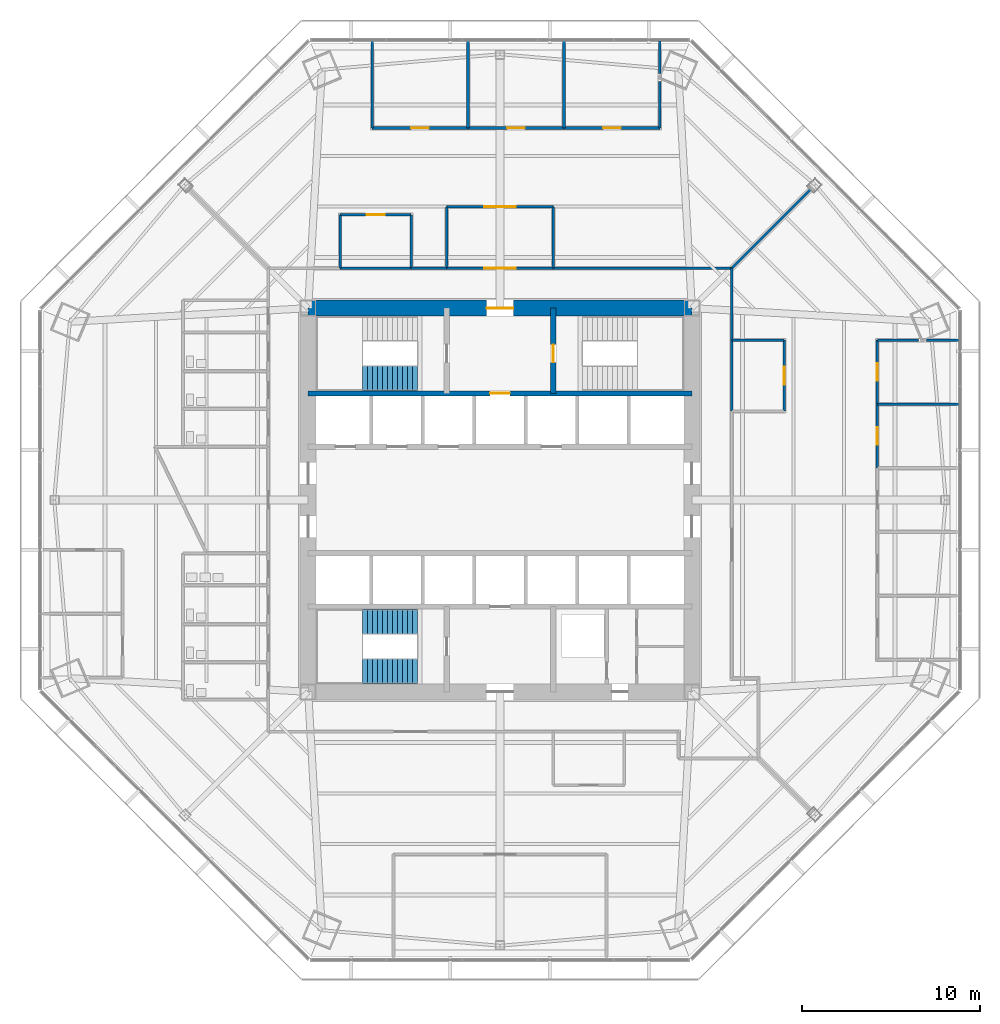
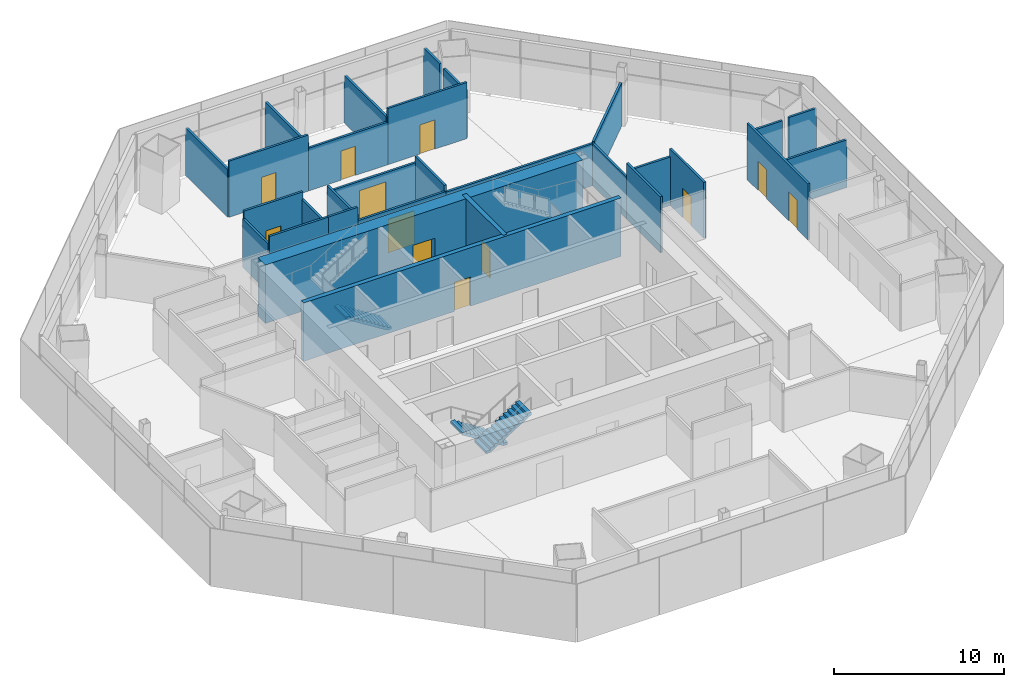
# One storey, part 11 of 15: 30 walls, 12 doors, 3 stair flights, 12 openings, 2 elements without a shape of their own.
"""IFC4 building model written with IfcOpenShell, lengths in metres."""

from ifc_helpers import new_model, si_unit, direction, frame, frame_2d, origin, place, context, subcontext, project, spatial, polyline, rectangle, outline, extrude, material, layer, layer_set, type_object, element, fill, aggregate, save


model = new_model("IFC4")

# Units and contexts
model_context = context("Model", 3, precision=1e-05, world=origin(), true_north=direction((0.0, 1.0)))
body_context = subcontext(model_context, "Body", "Model", "MODEL_VIEW")
ifc_project = project(units=[si_unit("LENGTHUNIT", "METRE"), si_unit("AREAUNIT", "SQUARE_METRE"), si_unit("VOLUMEUNIT", "CUBIC_METRE"), si_unit("PLANEANGLEUNIT", "RADIAN"), si_unit("MASSUNIT", "GRAM", prefix="KILO")], contexts=[model_context])

# Site, building, storey
site_placement = place(None, origin())
site = spatial("IfcSite", under=ifc_project, at=site_placement, CompositionType="ELEMENT")
building_placement = place(site_placement, origin())
building = spatial("IfcBuilding", under=site, at=building_placement, Name="Mashrafa Tower", CompositionType="ELEMENT")
storey_placement = place(building_placement, frame((0.0, 0.0, 75.0)))
storey = spatial("IfcBuildingStorey", under=building, at=storey_placement, Name="L16", CompositionType="ELEMENT", Elevation=75.0)

# Wall, opening, door
ifc_material_1 = material(Name="Concrete C60/75", Category="concrete")
ifc_layer_1 = layer(ifc_material_1, 0.300048828125)
ifc_layer_set_1 = layer_set([ifc_layer_1], Name="Core wall 300 C60/75")
wall_type_1 = type_object("IfcWallType", Name="Core wall 300 C60/75", PredefinedType="SOLIDWALL", material=ifc_layer_set_1)
wall_1_placement = place(storey_placement, frame((-10.800048828125, 6.0, 0.0), z_axis=(0.0, 0.0, 1.0), x_axis=(1.0, 0.0, 0.0)))
wall_1 = element("IfcWall", 1, at=wall_1_placement, inside=storey, type_object=wall_type_1, Name="Core wall CB-N L16", PredefinedType="SOLIDWALL", context=body_context, shape_type="SweptSolid", body=[
    extrude(rectangle(XDim=21.60009765625, YDim=0.300048828125, at=frame_2d((10.800048828125, 0.0))), origin(), (0.0, 0.0, 1.0), 4.199951171875),
])
opening_1_placement = place(wall_1_placement, frame((10.25, 0.0, 0.0)))
opening_1 = element("IfcOpeningElement", 2, at=opening_1_placement, cuts=wall_1, Name="Opening 16.F1", PredefinedType="OPENING", context=body_context, shape_type="SweptSolid", body=[
    extrude(rectangle(XDim=1.10009765625, YDim=2.10009765625, at=frame_2d((0.550048828125, 1.050048828125))), frame((0.0, 0.159912109375, 0.0), z_axis=(0.0, -1.0, 0.0), x_axis=(1.0, 0.0, 0.0)), (0.0, 0.0, 1.0), 0.320068359375),
])
ifc_material_2 = material(Name="Steel door", Category="steel")
door_type_1 = type_object("IfcDoorType", Name="Lift landing door 1100 x 2100 90 min", OperationType="DOUBLE_DOOR_SLIDING", PredefinedType="DOOR", material=ifc_material_2)
door_1_placement = place(opening_1_placement, origin())
door_1 = element("IfcDoor", 3, at=door_1_placement, inside=storey, type_object=door_type_1, Name="Lift landing door F1 L16", OperationType="DOUBLE_DOOR_SLIDING", OverallHeight=2.10009765625, OverallWidth=1.10009765625, PredefinedType="DOOR", context=body_context, shape_type="SweptSolid", body=[
    extrude(rectangle(XDim=1.10009765625, YDim=2.10009765625, at=frame_2d((0.550048828125, 1.050048828125))), frame((0.0, 0.02490234375, 0.0), z_axis=(0.0, -1.0, 0.0), x_axis=(1.0, 0.0, 0.0)), (0.0, 0.0, 1.0), 0.050048828125),
])
fill(opening_1, door_1)

wall_2_placement = place(storey_placement, frame((3.0, 6.0, 0.0), z_axis=(0.0, 0.0, 1.0), x_axis=(0.0, 1.0, 0.0)))
wall_2 = element("IfcWall", 4, at=wall_2_placement, inside=storey, type_object=wall_type_1, Name="Core wall CX-NE L16", PredefinedType="SOLIDWALL", context=body_context, shape_type="SweptSolid", body=[
    extrude(rectangle(XDim=4.800048828125, YDim=0.300048828125, at=frame_2d((2.39990234375, 0.0))), origin(), (0.0, 0.0, 1.0), 4.199951171875),
])
opening_2_placement = place(wall_2_placement, frame((1.75, 0.0, 0.0)))
opening_2 = element("IfcOpeningElement", 5, at=opening_2_placement, cuts=wall_2, Name="Opening 16.035", PredefinedType="OPENING", context=body_context, shape_type="SweptSolid", body=[
    extrude(rectangle(XDim=1.0, YDim=2.10009765625, at=frame_2d((0.5, 1.050048828125))), frame((0.0, 0.159912109375, 0.0), z_axis=(0.0, -1.0, 0.0), x_axis=(1.0, 0.0, 0.0)), (0.0, 0.0, 1.0), 0.320068359375),
])
ifc_material_3 = material(Name="Steel door", Category="steel")
door_type_2 = type_object("IfcDoorType", Name="Stair door 1000 x 2100 90 min", OperationType="USERDEFINED", PredefinedType="DOOR", material=ifc_material_3)
door_2_placement = place(opening_2_placement, frame((1.0, 0.0, 0.0), z_axis=(0.0, 0.0, 1.0), x_axis=(-1.0, 0.0, 0.0)))
door_2 = element("IfcDoor", 6, at=door_2_placement, inside=storey, type_object=door_type_2, Name="Stair S2 door L16", OperationType="SINGLE_SWING_RIGHT", OverallHeight=2.10009765625, OverallWidth=1.0, PredefinedType="DOOR", context=body_context, shape_type="SweptSolid", body=[
    extrude(rectangle(XDim=1.0, YDim=2.10009765625, at=frame_2d((0.5, 1.050048828125))), frame((0.0, 0.02490234375, 0.0), z_axis=(0.0, -1.0, 0.0), x_axis=(1.0, 0.0, 0.0)), (0.0, 0.0, 1.0), 0.050048828125),
])
fill(opening_2, door_2)

ifc_material_4 = material(Name="Concrete C60/75", Category="concrete")
ifc_layer_2 = layer(ifc_material_4, 0.89990234375)
ifc_layer_set_2 = layer_set([ifc_layer_2], Name="Core wall 900 C60/75")
wall_type_2 = type_object("IfcWallType", Name="Core wall 900 C60/75", PredefinedType="SOLIDWALL", material=ifc_layer_set_2)
wall_3_placement = place(storey_placement, frame((10.800048828125, 10.800048828125, 0.0), z_axis=(0.0, 0.0, 1.0), x_axis=(-1.0, 0.0, 0.0)))
wall_3 = element("IfcWall", 7, at=wall_3_placement, inside=storey, type_object=wall_type_2, Name="Core wall CW-N L16", PredefinedType="SOLIDWALL", context=body_context, shape_type="SweptSolid", body=[
    extrude(rectangle(XDim=21.60009765625, YDim=0.89990234375, at=frame_2d((10.800048828125, 0.0))), origin(), (0.0, 0.0, 1.0), 4.199951171875),
])
opening_3_placement = place(wall_3_placement, frame((10.050048828125, 0.0, 0.0)))
opening_3 = element("IfcOpeningElement", 8, at=opening_3_placement, cuts=wall_3, Name="Opening 16.032", PredefinedType="OPENING", context=body_context, shape_type="SweptSolid", body=[
    extrude(rectangle(XDim=1.5, YDim=2.10009765625, at=frame_2d((0.75, 1.050048828125))), frame((0.0, 0.4599609375, 0.0), z_axis=(0.0, -1.0, 0.0), x_axis=(1.0, 0.0, 0.0)), (0.0, 0.0, 1.0), 0.919921875),
])
ifc_material_5 = material(Name="Steel door", Category="steel")
door_type_3 = type_object("IfcDoorType", Name="Lobby door pair 1500 x 2100 90 min", OperationType="DOUBLE_DOOR_SINGLE_SWING", PredefinedType="DOOR", material=ifc_material_5)
door_3_placement = place(opening_3_placement, origin())
door_3 = element("IfcDoor", 9, at=door_3_placement, inside=storey, type_object=door_type_3, Name="Fire-fighting lobby F1 door L16", OperationType="DOUBLE_DOOR_SINGLE_SWING", OverallHeight=2.10009765625, OverallWidth=1.5, PredefinedType="DOOR", context=body_context, shape_type="SweptSolid", body=[
    extrude(rectangle(XDim=1.5, YDim=2.10009765625, at=frame_2d((0.75, 1.050048828125))), frame((0.0, 0.02490234375, 0.0), z_axis=(0.0, -1.0, 0.0), x_axis=(1.0, 0.0, 0.0)), (0.0, 0.0, 1.0), 0.050048828125),
])
fill(opening_3, door_3)

ifc_material_6 = material(Name="Gypsum board on steel studs", Category="steel")
ifc_layer_3 = layer(ifc_material_6, 0.14990234375)
ifc_layer_set_3 = layer_set([ifc_layer_3], Name="Corridor partition 150 1 hr")
wall_type_3 = type_object("IfcWallType", Name="Corridor partition 150 1 hr", PredefinedType="PARTITIONING", material=ifc_layer_set_3)
wall_4_placement = place(storey_placement, frame((3.0009765625, 13.050048828125, 0.0), z_axis=(0.0, 0.0, 1.0), x_axis=(-1.0, 0.0, 0.0)))
wall_4 = element("IfcWall", 10, at=wall_4_placement, inside=storey, type_object=wall_type_3, Name="Corridor wall L16-010", PredefinedType="PARTITIONING", context=body_context, shape_type="SweptSolid", body=[
    extrude(rectangle(XDim=6.001953125, YDim=0.14990234375, at=frame_2d((3.0009765625, 0.0))), origin(), (0.0, 0.0, 1.0), 3.06494140625),
])
opening_4_placement = place(wall_4_placement, frame((2.10107421875, 0.0, 0.0)))
opening_4 = element("IfcOpeningElement", 11, at=opening_4_placement, cuts=wall_4, Name="Opening 16.010", PredefinedType="OPENING", context=body_context, shape_type="SweptSolid", body=[
    extrude(rectangle(XDim=1.800048828125, YDim=2.39990234375, at=frame_2d((0.89990234375, 1.199951171875))), frame((0.0, 0.0849609375, 0.0), z_axis=(0.0, -1.0, 0.0), x_axis=(1.0, 0.0, 0.0)), (0.0, 0.0, 1.0), 0.169921875),
])
ifc_material_7 = material(Name="Steel door", Category="steel")
door_type_4 = type_object("IfcDoorType", Name="Door pair 1800 x 2400 90 min", OperationType="DOUBLE_DOOR_SINGLE_SWING", PredefinedType="DOOR", material=ifc_material_7)
door_4_placement = place(opening_4_placement, origin())
door_4 = element("IfcDoor", 12, at=door_4_placement, inside=storey, type_object=door_type_4, Name="Reception 16-N door", OperationType="DOUBLE_DOOR_SINGLE_SWING", OverallHeight=2.39990234375, OverallWidth=1.800048828125, PredefinedType="DOOR", context=body_context, shape_type="SweptSolid", body=[
    extrude(rectangle(XDim=1.800048828125, YDim=2.39990234375, at=frame_2d((0.89990234375, 1.199951171875))), frame((0.0, 0.02490234375, 0.0), z_axis=(0.0, -1.0, 0.0), x_axis=(1.0, 0.0, 0.0)), (0.0, 0.0, 1.0), 0.050048828125),
])
fill(opening_4, door_4)

# Walls
for number, where, z_axis, x_axis, name in (
    (13, (-4.9990234375, 13.050048828125, 0.0), (0.0, 0.0, 1.0), (-1.0, 0.0, 0.0), "Corridor wall L16-011"),
    (14, (13.050048828125, 4.9990234375, 0.0), (0.0, 0.0, 1.0), (0.0, 1.0, 0.0), "Corridor wall L16-012"),
):
    element("IfcWall", number, at=place(storey_placement, frame(where, z_axis=z_axis, x_axis=x_axis)), inside=storey, type_object=wall_type_3, Name=name, PredefinedType="PARTITIONING", context=body_context, shape_type="SweptSolid", body=[
        extrude(rectangle(XDim=4.001953125, YDim=0.14990234375, at=frame_2d((2.0009765625, 0.0))), origin(), (0.0, 0.0, 1.0), 4.034912109375),
    ])
wall_5_placement = place(storey_placement, frame((-2.9990234375, 13.050048828125, 0.0), z_axis=(0.0, 0.0, 1.0), x_axis=(-1.0, 0.0, 0.0)))
element("IfcWall", 15, at=wall_5_placement, inside=storey, type_object=wall_type_3, Name="Corridor wall L16-015", PredefinedType="PARTITIONING", context=body_context, shape_type="SweptSolid", body=[
    extrude(rectangle(XDim=2.001953125, YDim=0.14990234375, at=frame_2d((1.0009765625, 0.0))), origin(), (0.0, 0.0, 1.0), 4.034912109375),
])
wall_6_placement = place(storey_placement, frame((13.050048828125, 13.050048828125, 0.0), z_axis=(0.0, 0.0, 1.0), x_axis=(-1.0, 0.0, 0.0)))
element("IfcWall", 16, at=wall_6_placement, inside=storey, type_object=wall_type_3, Name="Corridor wall L16-016", PredefinedType="PARTITIONING", context=body_context, shape_type="SweptSolid", body=[
    extrude(rectangle(XDim=10.051025390625, YDim=0.14990234375, at=frame_2d((5.025390625, 0.0))), origin(), (0.0, 0.0, 1.0), 3.01416015625),
])
wall_7_placement = place(storey_placement, frame((13.050048828125, 8.9990234375, 0.0), z_axis=(0.0, 0.0, 1.0), x_axis=(0.0, 1.0, 0.0)))
element("IfcWall", 17, at=wall_7_placement, inside=storey, type_object=wall_type_3, Name="Corridor wall L16-017", PredefinedType="PARTITIONING", context=body_context, shape_type="SweptSolid", body=[
    extrude(rectangle(XDim=4.051025390625, YDim=0.14990234375, at=frame_2d((2.025390625, 0.0))), origin(), (0.0, 0.0, 1.0), 3.01416015625),
])
wall_8_placement = place(storey_placement, frame((3.0, 13.050048828125, 0.0), z_axis=(0.0, 0.0, 1.0), x_axis=(0.0, 1.0, 0.0)))
element("IfcWall", 18, at=wall_8_placement, inside=storey, type_object=wall_type_3, Name="Corridor wall L16-048", PredefinedType="PARTITIONING", context=body_context, shape_type="SweptSolid", body=[
    extrude(rectangle(XDim=3.449951171875, YDim=0.14990234375, at=frame_2d((1.72509765625, 0.0))), origin(), (0.0, 0.0, 1.0), 3.49169921875),
])

# Wall, opening, door
wall_9_placement = place(storey_placement, frame((3.0, 16.5, 0.0), z_axis=(0.0, 0.0, 1.0), x_axis=(-1.0, 0.0, 0.0)))
wall_9 = element("IfcWall", 19, at=wall_9_placement, inside=storey, type_object=wall_type_3, Name="Corridor wall L16-049", PredefinedType="PARTITIONING", context=body_context, shape_type="SweptSolid", body=[
    extrude(rectangle(XDim=6.0, YDim=0.14990234375, at=frame_2d((3.0, 0.0))), origin(), (0.0, 0.0, 1.0), 3.06494140625),
])
opening_5_placement = place(wall_9_placement, frame((2.10009765625, 0.0, 0.0)))
opening_5 = element("IfcOpeningElement", 20, at=opening_5_placement, cuts=wall_9, Name="Opening 16.025", PredefinedType="OPENING", context=body_context, shape_type="SweptSolid", body=[
    extrude(rectangle(XDim=1.800048828125, YDim=2.39990234375, at=frame_2d((0.89990234375, 1.199951171875))), frame((0.0, 0.0849609375, 0.0), z_axis=(0.0, -1.0, 0.0), x_axis=(1.0, 0.0, 0.0)), (0.0, 0.0, 1.0), 0.169921875),
])
door_5_placement = place(opening_5_placement, frame((1.800048828125, 0.0, 0.0), z_axis=(0.0, 0.0, 1.0), x_axis=(-1.0, 0.0, 0.0)))
door_5 = element("IfcDoor", 21, at=door_5_placement, inside=storey, type_object=door_type_4, Name="Office Tenancy 16-N door", OperationType="DOUBLE_DOOR_SINGLE_SWING", OverallHeight=2.39990234375, OverallWidth=1.800048828125, PredefinedType="DOOR", context=body_context, shape_type="SweptSolid", body=[
    extrude(rectangle(XDim=1.800048828125, YDim=2.39990234375, at=frame_2d((0.89990234375, 1.199951171875))), frame((0.0, 0.02490234375, 0.0), z_axis=(0.0, -1.0, 0.0), x_axis=(1.0, 0.0, 0.0)), (0.0, 0.0, 1.0), 0.050048828125),
])
fill(opening_5, door_5)

# Walls
wall_10_placement = place(storey_placement, frame((-3.0, 16.5, 0.0), z_axis=(0.0, 0.0, 1.0), x_axis=(0.0, -1.0, 0.0)))
element("IfcWall", 22, at=wall_10_placement, inside=storey, type_object=wall_type_3, Name="Corridor wall L16-050", PredefinedType="PARTITIONING", context=body_context, shape_type="SweptSolid", body=[
    extrude(rectangle(XDim=3.449951171875, YDim=0.14990234375, at=frame_2d((1.72509765625, 0.0))), origin(), (0.0, 0.0, 1.0), 3.49169921875),
])
ifc_material_8 = material(Name="Gypsum board on steel studs", Category="steel")
ifc_layer_4 = layer(ifc_material_8, 0.14990234375)
ifc_layer_set_4 = layer_set([ifc_layer_4], Name="Partition 150")
wall_type_4 = type_object("IfcWallType", Name="Partition 150", PredefinedType="PARTITIONING", material=ifc_layer_set_4)
wall_11_placement = place(storey_placement, frame((-5.0, 13.050048828125, 0.0), z_axis=(0.0, 0.0, 1.0), x_axis=(0.0, 1.0, 0.0)))
element("IfcWall", 23, at=wall_11_placement, inside=storey, type_object=wall_type_4, Name="Partition wall L16-051", PredefinedType="PARTITIONING", context=body_context, shape_type="SweptSolid", body=[
    extrude(rectangle(XDim=3.0, YDim=0.14990234375, at=frame_2d((1.5, 0.0))), origin(), (0.0, 0.0, 1.0), 3.49169921875),
])

# Wall, opening, door
wall_12_placement = place(storey_placement, frame((-5.0, 16.050048828125, 0.0), z_axis=(0.0, 0.0, 1.0), x_axis=(-1.0, 0.0, 0.0)))
wall_12 = element("IfcWall", 24, at=wall_12_placement, inside=storey, type_object=wall_type_4, Name="Partition wall L16-052", PredefinedType="PARTITIONING", context=body_context, shape_type="SweptSolid", body=[
    extrude(rectangle(XDim=4.0, YDim=0.14990234375, at=frame_2d((2.0, 0.0))), origin(), (0.0, 0.0, 1.0), 4.034912109375),
])
opening_6_placement = place(wall_12_placement, frame((1.5, 0.0, 0.0)))
opening_6 = element("IfcOpeningElement", 25, at=opening_6_placement, cuts=wall_12, Name="Opening 16.011", PredefinedType="OPENING", context=body_context, shape_type="SweptSolid", body=[
    extrude(rectangle(XDim=1.0, YDim=2.10009765625, at=frame_2d((0.5, 1.050048828125))), frame((0.0, 0.0849609375, 0.0), z_axis=(0.0, -1.0, 0.0), x_axis=(1.0, 0.0, 0.0)), (0.0, 0.0, 1.0), 0.169921875),
])
ifc_material_9 = material(Name="Timber door", Category="wood")
door_type_5 = type_object("IfcDoorType", Name="Door 1000 x 2100", OperationType="USERDEFINED", PredefinedType="DOOR", material=ifc_material_9)
door_6_placement = place(opening_6_placement, origin())
door_6 = element("IfcDoor", 26, at=door_6_placement, inside=storey, type_object=door_type_5, Name="Pantry 16-N door", OperationType="SINGLE_SWING_LEFT", OverallHeight=2.10009765625, OverallWidth=1.0, PredefinedType="DOOR", context=body_context, shape_type="SweptSolid", body=[
    extrude(rectangle(XDim=1.0, YDim=2.10009765625, at=frame_2d((0.5, 1.050048828125))), frame((0.0, 0.02490234375, 0.0), z_axis=(0.0, -1.0, 0.0), x_axis=(1.0, 0.0, 0.0)), (0.0, 0.0, 1.0), 0.050048828125),
])
fill(opening_6, door_6)

# Wall
wall_13_placement = place(storey_placement, frame((-9.0, 16.050048828125, 0.0), z_axis=(0.0, 0.0, 1.0), x_axis=(0.0, -1.0, 0.0)))
element("IfcWall", 27, at=wall_13_placement, inside=storey, type_object=wall_type_4, Name="Partition wall L16-053", PredefinedType="PARTITIONING", context=body_context, shape_type="SweptSolid", body=[
    extrude(rectangle(XDim=3.0, YDim=0.14990234375, at=frame_2d((1.5, 0.0))), origin(), (0.0, 0.0, 1.0), 3.49169921875),
])

# Wall, opening, door
wall_14_placement = place(storey_placement, frame((16.0, 5.0, 0.0), z_axis=(0.0, 0.0, 1.0), x_axis=(0.0, 1.0, 0.0)))
wall_14 = element("IfcWall", 28, at=wall_14_placement, inside=storey, type_object=wall_type_4, Name="Partition wall L16-055", PredefinedType="PARTITIONING", context=body_context, shape_type="SweptSolid", body=[
    extrude(rectangle(XDim=4.0, YDim=0.14990234375, at=frame_2d((2.0, 0.0))), origin(), (0.0, 0.0, 1.0), 4.034912109375),
])
opening_7_placement = place(wall_14_placement, frame((1.5, 0.0, 0.0)))
opening_7 = element("IfcOpeningElement", 29, at=opening_7_placement, cuts=wall_14, Name="Opening 16.012", PredefinedType="OPENING", context=body_context, shape_type="SweptSolid", body=[
    extrude(rectangle(XDim=1.0, YDim=2.10009765625, at=frame_2d((0.5, 1.050048828125))), frame((0.0, 0.0849609375, 0.0), z_axis=(0.0, -1.0, 0.0), x_axis=(1.0, 0.0, 0.0)), (0.0, 0.0, 1.0), 0.169921875),
])
door_7_placement = place(opening_7_placement, origin())
door_7 = element("IfcDoor", 30, at=door_7_placement, inside=storey, type_object=door_type_5, Name="Pantry 16-E door", OperationType="SINGLE_SWING_LEFT", OverallHeight=2.10009765625, OverallWidth=1.0, PredefinedType="DOOR", context=body_context, shape_type="SweptSolid", body=[
    extrude(rectangle(XDim=1.0, YDim=2.10009765625, at=frame_2d((0.5, 1.050048828125))), frame((0.0, 0.02490234375, 0.0), z_axis=(0.0, -1.0, 0.0), x_axis=(1.0, 0.0, 0.0)), (0.0, 0.0, 1.0), 0.050048828125),
])
fill(opening_7, door_7)

# Walls
wall_15_placement = place(storey_placement, frame((16.0, 9.0, 0.0), z_axis=(0.0, 0.0, 1.0), x_axis=(-1.0, 0.0, 0.0)))
element("IfcWall", 31, at=wall_15_placement, inside=storey, type_object=wall_type_4, Name="Partition wall L16-056", PredefinedType="PARTITIONING", context=body_context, shape_type="SweptSolid", body=[
    extrude(rectangle(XDim=2.949951171875, YDim=0.14990234375, at=frame_2d((1.47509765625, 0.0))), origin(), (0.0, 0.0, 1.0), 3.49169921875),
])
wall_16_placement = place(storey_placement, frame((3.60009765625, 25.875, 0.0), z_axis=(0.0, 0.0, 1.0), x_axis=(0.0, -1.0, 0.0)))
element("IfcWall", 32, at=wall_16_placement, inside=storey, type_object=wall_type_4, Name="Partition wall L16-063", PredefinedType="PARTITIONING", context=body_context, shape_type="SweptSolid", body=[
    extrude(rectangle(XDim=4.931884765625, YDim=0.14990234375, at=frame_2d((2.4658203125, 0.0))), origin(), (0.0, 0.0, 1.0), 3.423095703125),
])

# Wall, opening, door
wall_17_placement = place(storey_placement, frame((3.60009765625, 20.943115234375, 0.0), z_axis=(0.0, 0.0, 1.0), x_axis=(1.0, 0.0, 0.0)))
wall_17 = element("IfcWall", 33, at=wall_17_placement, inside=storey, type_object=wall_type_4, Name="Partition wall L16-064", PredefinedType="PARTITIONING", context=body_context, shape_type="SweptSolid", body=[
    extrude(rectangle(XDim=5.39990234375, YDim=0.14990234375, at=frame_2d((2.699951171875, 0.0))), origin(), (0.0, 0.0, 1.0), 4.034912109375),
])
opening_8_placement = place(wall_17_placement, frame((2.199951171875, 0.0, 0.0)))
opening_8 = element("IfcOpeningElement", 34, at=opening_8_placement, cuts=wall_17, Name="Opening 16.015", PredefinedType="OPENING", context=body_context, shape_type="SweptSolid", body=[
    extrude(rectangle(XDim=1.0, YDim=2.10009765625, at=frame_2d((0.5, 1.050048828125))), frame((0.0, 0.0849609375, 0.0), z_axis=(0.0, -1.0, 0.0), x_axis=(1.0, 0.0, 0.0)), (0.0, 0.0, 1.0), 0.169921875),
])
door_8_placement = place(opening_8_placement, origin())
door_8 = element("IfcDoor", 35, at=door_8_placement, inside=storey, type_object=door_type_5, Name="Meeting Room 16-N-1 door", OperationType="SINGLE_SWING_RIGHT", OverallHeight=2.10009765625, OverallWidth=1.0, PredefinedType="DOOR", context=body_context, shape_type="SweptSolid", body=[
    extrude(rectangle(XDim=1.0, YDim=2.10009765625, at=frame_2d((0.5, 1.050048828125))), frame((0.0, 0.02490234375, 0.0), z_axis=(0.0, -1.0, 0.0), x_axis=(1.0, 0.0, 0.0)), (0.0, 0.0, 1.0), 0.050048828125),
])
fill(opening_8, door_8)

# Walls
wall_18_placement = place(storey_placement, frame((9.0, 20.943115234375, 0.0), z_axis=(0.0, 0.0, 1.0), x_axis=(0.0, 1.0, 0.0)))
element("IfcWall", 36, at=wall_18_placement, inside=storey, type_object=wall_type_4, Name="Partition wall L16-065", PredefinedType="PARTITIONING", context=body_context, shape_type="SweptSolid", body=[
    extrude(rectangle(XDim=2.6181640625, YDim=0.14990234375, at=frame_2d((1.30908203125, 0.0))), origin(), (0.0, 0.0, 1.0), 3.423095703125),
])
wall_19_placement = place(storey_placement, frame((9.0, 23.998779296875, 0.0), z_axis=(0.0, 0.0, 1.0), x_axis=(0.0, 1.0, 0.0)))
element("IfcWall", 37, at=wall_19_placement, inside=storey, type_object=wall_type_4, Name="Partition wall L16-066", PredefinedType="PARTITIONING", context=body_context, shape_type="SweptSolid", body=[
    extrude(rectangle(XDim=1.876220703125, YDim=0.14990234375, at=frame_2d((0.93798828125, 0.0))), origin(), (0.0, 0.0, 1.0), 3.49658203125),
])
wall_20_placement = place(storey_placement, frame((-1.800048828125, 25.875, 0.0), z_axis=(0.0, 0.0, 1.0), x_axis=(0.0, -1.0, 0.0)))
element("IfcWall", 38, at=wall_20_placement, inside=storey, type_object=wall_type_4, Name="Partition wall L16-067", PredefinedType="PARTITIONING", context=body_context, shape_type="SweptSolid", body=[
    extrude(rectangle(XDim=4.931884765625, YDim=0.14990234375, at=frame_2d((2.4658203125, 0.0))), origin(), (0.0, 0.0, 1.0), 3.423095703125),
])

# Wall, opening, door
wall_21_placement = place(storey_placement, frame((-1.800048828125, 20.943115234375, 0.0), z_axis=(0.0, 0.0, 1.0), x_axis=(1.0, 0.0, 0.0)))
wall_21 = element("IfcWall", 39, at=wall_21_placement, inside=storey, type_object=wall_type_4, Name="Partition wall L16-068", PredefinedType="PARTITIONING", context=body_context, shape_type="SweptSolid", body=[
    extrude(rectangle(XDim=5.400146484375, YDim=0.14990234375, at=frame_2d((2.7001953125, 0.0))), origin(), (0.0, 0.0, 1.0), 3.06494140625),
])
opening_9_placement = place(wall_21_placement, frame((2.199951171875, 0.0, 0.0)))
opening_9 = element("IfcOpeningElement", 40, at=opening_9_placement, cuts=wall_21, Name="Opening 16.016", PredefinedType="OPENING", context=body_context, shape_type="SweptSolid", body=[
    extrude(rectangle(XDim=1.0, YDim=2.10009765625, at=frame_2d((0.5, 1.050048828125))), frame((0.0, 0.0849609375, 0.0), z_axis=(0.0, -1.0, 0.0), x_axis=(1.0, 0.0, 0.0)), (0.0, 0.0, 1.0), 0.169921875),
])
door_9_placement = place(opening_9_placement, origin())
door_9 = element("IfcDoor", 41, at=door_9_placement, inside=storey, type_object=door_type_5, Name="Meeting Room 16-N-2 door", OperationType="SINGLE_SWING_RIGHT", OverallHeight=2.10009765625, OverallWidth=1.0, PredefinedType="DOOR", context=body_context, shape_type="SweptSolid", body=[
    extrude(rectangle(XDim=1.0, YDim=2.10009765625, at=frame_2d((0.5, 1.050048828125))), frame((0.0, 0.02490234375, 0.0), z_axis=(0.0, -1.0, 0.0), x_axis=(1.0, 0.0, 0.0)), (0.0, 0.0, 1.0), 0.050048828125),
])
fill(opening_9, door_9)

# Wall
wall_22_placement = place(storey_placement, frame((-7.199951171875, 25.875, 0.0), z_axis=(0.0, 0.0, 1.0), x_axis=(0.0, -1.0, 0.0)))
element("IfcWall", 42, at=wall_22_placement, inside=storey, type_object=wall_type_4, Name="Partition wall L16-069", PredefinedType="PARTITIONING", context=body_context, shape_type="SweptSolid", body=[
    extrude(rectangle(XDim=4.931884765625, YDim=0.14990234375, at=frame_2d((2.4658203125, 0.0))), origin(), (0.0, 0.0, 1.0), 3.423095703125),
])

# Wall, opening, door
wall_23_placement = place(storey_placement, frame((-7.199951171875, 20.943115234375, 0.0), z_axis=(0.0, 0.0, 1.0), x_axis=(1.0, 0.0, 0.0)))
wall_23 = element("IfcWall", 43, at=wall_23_placement, inside=storey, type_object=wall_type_4, Name="Partition wall L16-070", PredefinedType="PARTITIONING", context=body_context, shape_type="SweptSolid", body=[
    extrude(rectangle(XDim=5.39990234375, YDim=0.14990234375, at=frame_2d((2.699951171875, 0.0))), origin(), (0.0, 0.0, 1.0), 4.034912109375),
])
opening_10_placement = place(wall_23_placement, frame((2.199951171875, 0.0, 0.0)))
opening_10 = element("IfcOpeningElement", 44, at=opening_10_placement, cuts=wall_23, Name="Opening 16.017", PredefinedType="OPENING", context=body_context, shape_type="SweptSolid", body=[
    extrude(rectangle(XDim=1.0, YDim=2.10009765625, at=frame_2d((0.5, 1.050048828125))), frame((0.0, 0.0849609375, 0.0), z_axis=(0.0, -1.0, 0.0), x_axis=(1.0, 0.0, 0.0)), (0.0, 0.0, 1.0), 0.169921875),
])
door_10_placement = place(opening_10_placement, origin())
door_10 = element("IfcDoor", 45, at=door_10_placement, inside=storey, type_object=door_type_5, Name="Meeting Room 16-N-3 door", OperationType="SINGLE_SWING_LEFT", OverallHeight=2.10009765625, OverallWidth=1.0, PredefinedType="DOOR", context=body_context, shape_type="SweptSolid", body=[
    extrude(rectangle(XDim=1.0, YDim=2.10009765625, at=frame_2d((0.5, 1.050048828125))), frame((0.0, 0.02490234375, 0.0), z_axis=(0.0, -1.0, 0.0), x_axis=(1.0, 0.0, 0.0)), (0.0, 0.0, 1.0), 0.050048828125),
])
fill(opening_10, door_10)

# Wall
wall_24_placement = place(storey_placement, frame((25.875, 5.39990234375, 0.0), z_axis=(0.0, 0.0, 1.0), x_axis=(-1.0, 0.0, 0.0)))
element("IfcWall", 46, at=wall_24_placement, inside=storey, type_object=wall_type_4, Name="Partition wall L16-079", PredefinedType="PARTITIONING", context=body_context, shape_type="SweptSolid", body=[
    extrude(rectangle(XDim=4.6318359375, YDim=0.14990234375, at=frame_2d((2.31591796875, 0.0))), origin(), (0.0, 0.0, 1.0), 3.423095703125),
])

# Wall, openings, doors
wall_25_placement = place(storey_placement, frame((21.2431640625, 1.800048828125, 0.0), z_axis=(0.0, 0.0, 1.0), x_axis=(0.0, 1.0, 0.0)))
wall_25 = element("IfcWall", 47, at=wall_25_placement, inside=storey, type_object=wall_type_4, Name="Partition wall L16-080", PredefinedType="PARTITIONING", context=body_context, shape_type="SweptSolid", body=[
    extrude(rectangle(XDim=7.199951171875, YDim=0.14990234375, at=frame_2d((3.60009765625, 0.0))), origin(), (0.0, 0.0, 1.0), 4.034912109375),
])
opening_11_placement = place(wall_25_placement, frame((1.300048828125, 0.0, 0.0)))
opening_11 = element("IfcOpeningElement", 48, at=opening_11_placement, cuts=wall_25, Name="Opening 16.021", PredefinedType="OPENING", context=body_context, shape_type="SweptSolid", body=[
    extrude(rectangle(XDim=1.0, YDim=2.10009765625, at=frame_2d((0.5, 1.050048828125))), frame((0.0, 0.0849609375, 0.0), z_axis=(0.0, -1.0, 0.0), x_axis=(1.0, 0.0, 0.0)), (0.0, 0.0, 1.0), 0.169921875),
])
opening_12_placement = place(wall_25_placement, frame((4.89990234375, 0.0, 0.0)))
opening_12 = element("IfcOpeningElement", 49, at=opening_12_placement, cuts=wall_25, Name="Opening 16.022", PredefinedType="OPENING", context=body_context, shape_type="SweptSolid", body=[
    extrude(rectangle(XDim=1.0, YDim=2.10009765625, at=frame_2d((0.5, 1.050048828125))), frame((0.0, 0.0849609375, 0.0), z_axis=(0.0, -1.0, 0.0), x_axis=(1.0, 0.0, 0.0)), (0.0, 0.0, 1.0), 0.169921875),
])
door_11_placement = place(opening_11_placement, frame((1.0, 0.0, 0.0), z_axis=(0.0, 0.0, 1.0), x_axis=(-1.0, 0.0, 0.0)))
door_11 = element("IfcDoor", 50, at=door_11_placement, inside=storey, type_object=door_type_5, Name="Office 16-E-4 door", OperationType="SINGLE_SWING_RIGHT", OverallHeight=2.10009765625, OverallWidth=1.0, PredefinedType="DOOR", context=body_context, shape_type="SweptSolid", body=[
    extrude(rectangle(XDim=1.0, YDim=2.10009765625, at=frame_2d((0.5, 1.050048828125))), frame((0.0, 0.02490234375, 0.0), z_axis=(0.0, -1.0, 0.0), x_axis=(1.0, 0.0, 0.0)), (0.0, 0.0, 1.0), 0.050048828125),
])
fill(opening_11, door_11)
door_12_placement = place(opening_12_placement, frame((1.0, 0.0, 0.0), z_axis=(0.0, 0.0, 1.0), x_axis=(-1.0, 0.0, 0.0)))
door_12 = element("IfcDoor", 51, at=door_12_placement, inside=storey, type_object=door_type_5, Name="Office 16-E-5 door", OperationType="SINGLE_SWING_LEFT", OverallHeight=2.10009765625, OverallWidth=1.0, PredefinedType="DOOR", context=body_context, shape_type="SweptSolid", body=[
    extrude(rectangle(XDim=1.0, YDim=2.10009765625, at=frame_2d((0.5, 1.050048828125))), frame((0.0, 0.02490234375, 0.0), z_axis=(0.0, -1.0, 0.0), x_axis=(1.0, 0.0, 0.0)), (0.0, 0.0, 1.0), 0.050048828125),
])
fill(opening_12, door_12)

# Walls
wall_26_placement = place(storey_placement, frame((25.875, 9.0, 0.0), z_axis=(0.0, 0.0, 1.0), x_axis=(-1.0, 0.0, 0.0)))
element("IfcWall", 52, at=wall_26_placement, inside=storey, type_object=wall_type_4, Name="Partition wall L16-081", PredefinedType="PARTITIONING", context=body_context, shape_type="SweptSolid", body=[
    extrude(rectangle(XDim=1.876220703125, YDim=0.14990234375, at=frame_2d((0.93798828125, 0.0))), origin(), (0.0, 0.0, 1.0), 3.49658203125),
])
wall_27_placement = place(storey_placement, frame((23.561279296875, 9.0, 0.0), z_axis=(0.0, 0.0, 1.0), x_axis=(-1.0, 0.0, 0.0)))
element("IfcWall", 53, at=wall_27_placement, inside=storey, type_object=wall_type_4, Name="Partition wall L16-082", PredefinedType="PARTITIONING", context=body_context, shape_type="SweptSolid", body=[
    extrude(rectangle(XDim=2.318115234375, YDim=0.14990234375, at=frame_2d((1.1591796875, 0.0))), origin(), (0.0, 0.0, 1.0), 3.423095703125),
])
wall_28_placement = place(storey_placement, frame((13.050048828125, 13.050048828125, 0.0), z_axis=(0.0, 0.0, 1.0), x_axis=(0.707106781187, 0.707106781187, 0.0)))
element("IfcWall", 54, at=wall_28_placement, inside=storey, type_object=wall_type_4, Name="Partition wall L16-090", PredefinedType="PARTITIONING", context=body_context, shape_type="SweptSolid", body=[
    extrude(rectangle(XDim=6.249755859375, YDim=0.14990234375, at=frame_2d((3.125, 0.0))), origin(), (0.0, 0.0, 1.0), 3.113037109375),
])

# Stair, stair flight
ifc_material_10 = material(Name="Exit stair 1400")
stair_type = type_object("IfcStairType", Name="Exit stair 1400", PredefinedType="HALF_TURN_STAIR", material=ifc_material_10)
stair_1_placement = place(storey_placement, origin())
stair_1 = element("IfcStair", 55, at=stair_1_placement, inside=storey, type_object=stair_type, Name="Stair S1 L16", PredefinedType="HALF_TURN_STAIR")
ifc_material_11 = material(Name="Concrete C32/40", Category="concrete")
stair_flight_type = type_object("IfcStairFlightType", Name="Stair flight 1400", PredefinedType="STRAIGHT", material=ifc_material_11)
stair_flight_1_placement = place(storey_placement, frame((-4.64990234375, 6.85009765625, 0.0), z_axis=(0.0, 0.0, 1.0), x_axis=(-1.0, 0.0, 0.0)))
stair_flight_1 = element("IfcStairFlight", 56, at=stair_flight_1_placement, type_object=stair_flight_type, Name="S1 flight 1", NumberOfRisers=12, NumberOfTreads=11, PredefinedType="STRAIGHT", RiserHeight=0.175, TreadLength=0.28, context=body_context, shape_type="SweptSolid", body=[
    extrude(outline(polyline([(0.0, 0.0), (0.0, 0.175048828125), (0.280029296875, 0.175048828125), (0.280029296875, 0.35009765625), (0.56005859375, 0.35009765625), (0.56005859375, 0.52490234375), (0.840087890625, 0.52490234375), (0.840087890625, 0.699951171875), (1.1201171875, 0.699951171875), (1.1201171875, 0.875), (1.39990234375, 0.875), (1.39990234375, 1.050048828125), (1.679931640625, 1.050048828125), (1.679931640625, 1.22509765625), (1.9599609375, 1.22509765625), (1.9599609375, 1.39990234375), (2.239990234375, 1.39990234375), (2.239990234375, 1.574951171875), (2.52001953125, 1.574951171875), (2.52001953125, 1.75), (2.800048828125, 1.75), (2.800048828125, 1.925048828125), (3.080078125, 1.925048828125), (3.080078125, 2.10009765625), (3.080078125, 1.748291015625), (0.28271484375, 0.0), (0.0, 0.0)])), frame((0.0, 0.699951171875, 0.0), z_axis=(0.0, -1.0, 0.0), x_axis=(1.0, 0.0, 0.0)), (0.0, 0.0, 1.0), 1.39990234375),
])
aggregate(stair_1, [stair_flight_1])

# Stair, stair flights
stair_2_placement = place(storey_placement, origin())
stair_2 = element("IfcStair", 57, at=stair_2_placement, inside=storey, type_object=stair_type, Name="Stair S3 L16", PredefinedType="HALF_TURN_STAIR")
stair_flight_2_placement = place(storey_placement, frame((-4.64990234375, -6.85009765625, 0.0), z_axis=(0.0, 0.0, 1.0), x_axis=(-1.0, 0.0, 0.0)))
stair_flight_2 = element("IfcStairFlight", 58, at=stair_flight_2_placement, type_object=stair_flight_type, Name="S3 flight 1", NumberOfRisers=12, NumberOfTreads=11, PredefinedType="STRAIGHT", RiserHeight=0.175, TreadLength=0.28, context=body_context, shape_type="SweptSolid", body=[
    extrude(outline(polyline([(0.0, 0.0), (0.0, 0.175048828125), (0.280029296875, 0.175048828125), (0.280029296875, 0.35009765625), (0.56005859375, 0.35009765625), (0.56005859375, 0.52490234375), (0.840087890625, 0.52490234375), (0.840087890625, 0.699951171875), (1.1201171875, 0.699951171875), (1.1201171875, 0.875), (1.39990234375, 0.875), (1.39990234375, 1.050048828125), (1.679931640625, 1.050048828125), (1.679931640625, 1.22509765625), (1.9599609375, 1.22509765625), (1.9599609375, 1.39990234375), (2.239990234375, 1.39990234375), (2.239990234375, 1.574951171875), (2.52001953125, 1.574951171875), (2.52001953125, 1.75), (2.800048828125, 1.75), (2.800048828125, 1.925048828125), (3.080078125, 1.925048828125), (3.080078125, 2.10009765625), (3.080078125, 1.748291015625), (0.28271484375, 0.0), (0.0, 0.0)])), frame((0.0, 0.699951171875, 0.0), z_axis=(0.0, -1.0, 0.0), x_axis=(1.0, 0.0, 0.0)), (0.0, 0.0, 1.0), 1.39990234375),
])
stair_flight_3_placement = place(storey_placement, frame((-7.72998046875, -9.64990234375, 2.10009765625), z_axis=(0.0, 0.0, 1.0), x_axis=(1.0, 0.0, 0.0)))
stair_flight_3 = element("IfcStairFlight", 59, at=stair_flight_3_placement, type_object=stair_flight_type, Name="S3 flight 2", NumberOfRisers=12, NumberOfTreads=11, PredefinedType="STRAIGHT", RiserHeight=0.175, TreadLength=0.28, context=body_context, shape_type="SweptSolid", body=[
    extrude(outline(polyline([(0.0, 0.0), (0.0, 0.175048828125), (0.280029296875, 0.175048828125), (0.280029296875, 0.35009765625), (0.56005859375, 0.35009765625), (0.56005859375, 0.52490234375), (0.840087890625, 0.52490234375), (0.840087890625, 0.699951171875), (1.1201171875, 0.699951171875), (1.1201171875, 0.875), (1.39990234375, 0.875), (1.39990234375, 1.050048828125), (1.679931640625, 1.050048828125), (1.679931640625, 1.22509765625), (1.9599609375, 1.22509765625), (1.9599609375, 1.39990234375), (2.239990234375, 1.39990234375), (2.239990234375, 1.574951171875), (2.52001953125, 1.574951171875), (2.52001953125, 1.75), (2.800048828125, 1.75), (2.800048828125, 1.925048828125), (3.080078125, 1.925048828125), (3.080078125, 2.10009765625), (3.080078125, 1.748291015625), (0.28271484375, 0.0), (0.0, 0.0)])), frame((0.0, 0.699951171875, 0.0), z_axis=(0.0, -1.0, 0.0), x_axis=(1.0, 0.0, 0.0)), (0.0, 0.0, 1.0), 1.39990234375),
])
aggregate(stair_2, [stair_flight_2, stair_flight_3])

save(model, "model.ifc")
